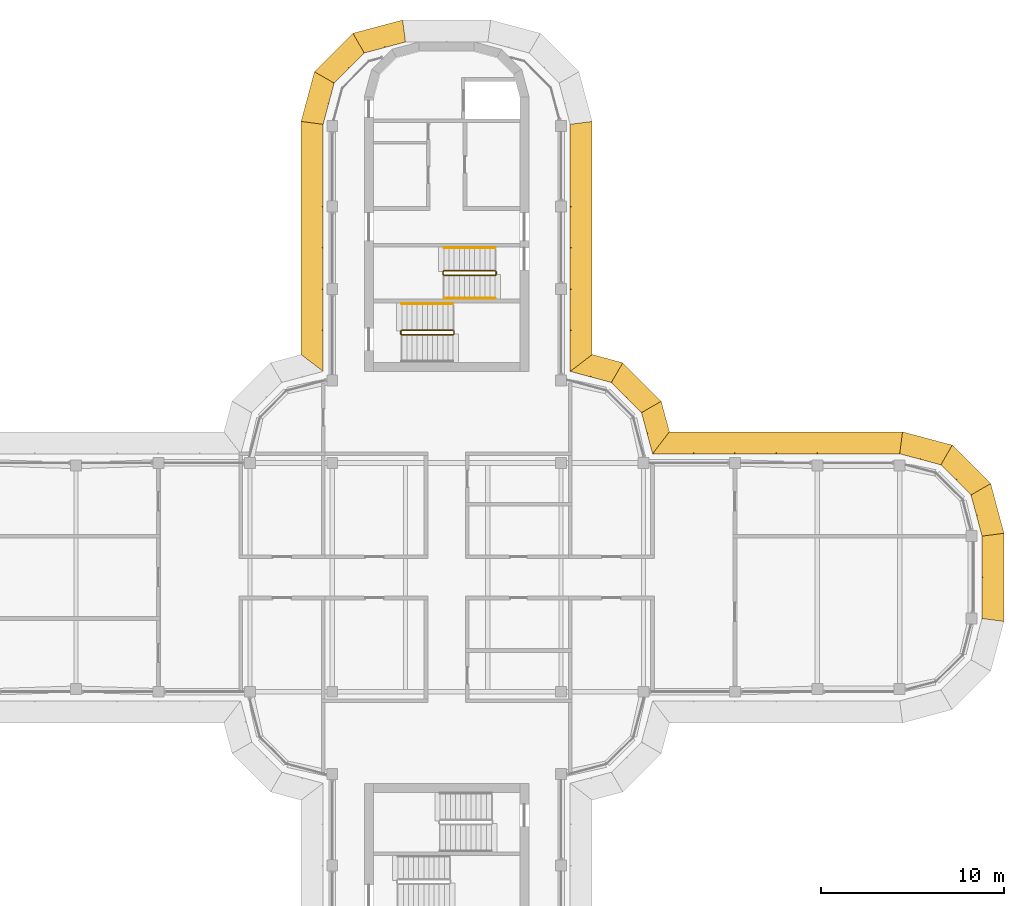
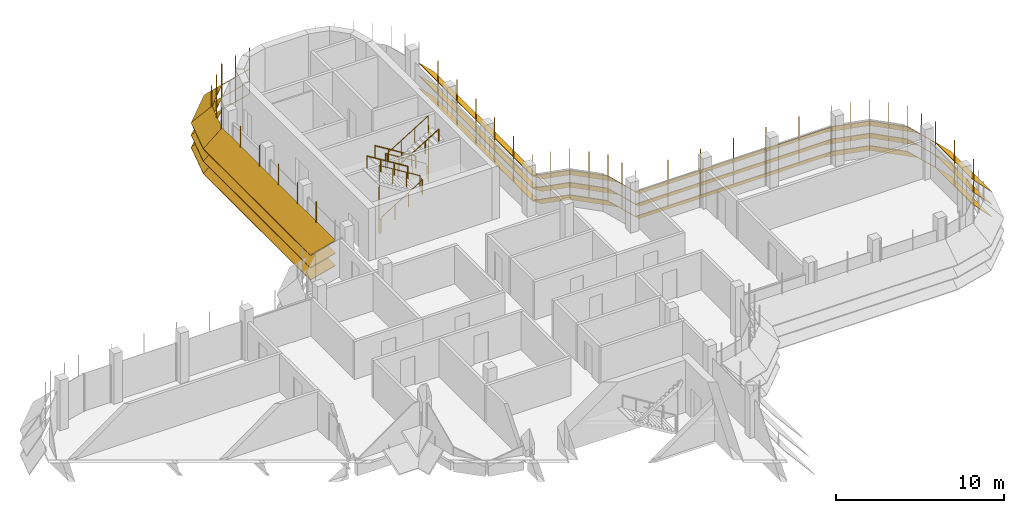
# One storey, part 18 of 19: 7 shading devices, 5 railings.
"""IFC4 building model written with IfcOpenShell, lengths in metres."""

import ifcopenshell
import ifcopenshell.guid

model = None  # the IFC model being written
_history = None  # IfcOwnerHistory: only IFC2X3 demands one
_inside = {}  # id of a spatial element -> (the spatial element, [elements in it])
_under = {}  # id of a project, library or spatial element -> (it, [spatial elements below it])
_declared = {}  # id of a project -> (the project, [libraries it declares])
_typed = {}  # id of a type object -> (the type object, [elements of that type])
_made_of = {}  # id of a material, layer set ... -> (it, [elements and type objects made of it])


def new_model(schema):
    """Start an empty IFC model of exactly this schema.

    Asked for "IFC4X3", IfcOpenShell would pick the latest addendum, in which some entities
    have other attributes; the version numbers below select the first issue.
    IFC2X3 requires an IfcOwnerHistory on every rooted entity: one is made here for all.
    """
    global model, _history
    if schema == "IFC4X3":
        model = ifcopenshell.file(schema_version=(4, 3, 0, 0))
    else:
        model = ifcopenshell.file(schema=schema)
    _inside.clear()
    _under.clear()
    _declared.clear()
    _typed.clear()
    _made_of.clear()
    _history = None
    if model.schema == "IFC2X3":
        org = make("IfcOrganization", Name="unknown")
        user = make(
            "IfcPersonAndOrganization",
            ThePerson=make("IfcPerson", FamilyName="unknown"),
            TheOrganization=org,
        )
        app = make(
            "IfcApplication",
            ApplicationDeveloper=org,
            Version="unknown",
            ApplicationFullName="unknown",
            ApplicationIdentifier="unknown",
        )
        _history = make(
            "IfcOwnerHistory",
            OwningUser=user,
            OwningApplication=app,
            ChangeAction="ADDED",
            CreationDate=0,
        )
    return model


def make(cls, **values):
    """One entity of the class cls with the attributes given. An attribute that is None is left unset."""
    return model.create_entity(
        cls, **{name: value for name, value in values.items() if value is not None}
    )


def rooted(cls, **values):
    """An entity with a GlobalId (a new one), such as an element, a storey or a relation."""
    return make(cls, GlobalId=ifcopenshell.guid.new(), OwnerHistory=_history, **values)


def si_unit(unit_type, name, prefix=None):
    """IfcSIUnit, for example si_unit("LENGTHUNIT", "METRE", prefix="MILLI")."""
    return make("IfcSIUnit", UnitType=unit_type, Prefix=prefix, Name=name)


def assignment(units):
    """IfcUnitAssignment: the units of a project."""
    return None if units is None else make("IfcUnitAssignment", Units=units)


def point(xyz):
    """IfcCartesianPoint."""
    return None if xyz is None else make("IfcCartesianPoint", Coordinates=xyz)


def direction(xyz):
    """IfcDirection."""
    return None if xyz is None else make("IfcDirection", DirectionRatios=xyz)


def frame(location, z_axis=None, x_axis=None):
    """IfcAxis2Placement3D, a coordinate frame: its origin and axes. An axis left out is left unset."""
    return make(
        "IfcAxis2Placement3D",
        Location=point(location),
        Axis=direction(z_axis),
        RefDirection=direction(x_axis),
    )


def frame_2d(location, x_axis=None):
    """IfcAxis2Placement2D, a coordinate frame in the plane: its origin and x axis."""
    return make(
        "IfcAxis2Placement2D", Location=point(location), RefDirection=direction(x_axis)
    )


def origin():
    """The frame at (0, 0, 0) with its axes left unset."""
    return frame((0.0, 0.0, 0.0))


def origin_2d():
    """The frame at (0, 0) in the plane with its x axis left unset."""
    return frame_2d((0.0, 0.0))


def place(relative_to, where):
    """IfcLocalPlacement: puts the frame where relative to a parent placement (None: the world)."""
    return make(
        "IfcLocalPlacement", PlacementRelTo=relative_to, RelativePlacement=where
    )


def context(
    kind, dimensions, precision=None, world=None, true_north=None, identifier=None
):
    """IfcGeometricRepresentationContext, for example the 3D "Model" context."""
    return make(
        "IfcGeometricRepresentationContext",
        ContextIdentifier=identifier,
        ContextType=kind,
        CoordinateSpaceDimension=dimensions,
        Precision=precision,
        WorldCoordinateSystem=world,
        TrueNorth=true_north,
    )


def subcontext(parent, identifier, kind, view, scale=None):
    """IfcGeometricRepresentationSubContext, for example "Body" below "Model"."""
    return make(
        "IfcGeometricRepresentationSubContext",
        ContextIdentifier=identifier,
        ContextType=kind,
        ParentContext=parent,
        TargetScale=scale,
        TargetView=view,
    )


def project(units=None, contexts=None):
    """IfcProject with its units and contexts."""
    return rooted(
        "IfcProject",
        Name="project",
        RepresentationContexts=contexts,
        UnitsInContext=assignment(units),
    )


def spatial(cls, under=None, at=None, **own):
    """A site, building, storey or space (cls), placed at a placement, below another one or the project."""
    s = rooted(cls, ObjectPlacement=at, **own)
    if under is not None:
        _under.setdefault(under.id(), (under, []))[1].append(s)
    return s


def polyline(points):
    """IfcPolyline through the points."""
    return make("IfcPolyline", Points=[point(p) for p in points])


def profile(cls, at=None, kind="AREA", **sizes):
    """A parametric profile (cls). Its sizes go by their IFC names, for example OverallWidth=200.0."""
    return make(cls, ProfileType=kind, Position=at, **sizes)


def circle(**sizes):
    """IfcCircleProfileDef."""
    return profile("IfcCircleProfileDef", **sizes)


def outline(outer, holes=None, kind="AREA"):
    """IfcArbitraryClosedProfileDef: a profile drawn as a closed curve; with holes, ...WithVoids."""
    if holes is None:
        return make("IfcArbitraryClosedProfileDef", ProfileType=kind, OuterCurve=outer)
    return make(
        "IfcArbitraryProfileDefWithVoids",
        ProfileType=kind,
        OuterCurve=outer,
        InnerCurves=holes,
    )


def extrude(swept, where, along, depth):
    """IfcExtrudedAreaSolid: the profile swept, set in the frame where, extruded along a direction by depth."""
    return make(
        "IfcExtrudedAreaSolid",
        SweptArea=swept,
        Position=where,
        ExtrudedDirection=direction(along),
        Depth=depth,
    )


def faces_of(points, faces, orient=None, outer=None):
    """IfcFace entities. A face is a list of loops; a loop is a list of indices into points, from 0.

    orient and outer hold one flag for each loop. By default every Orientation is true, the
    first loop of a face is its IfcFaceOuterBound and the others are IfcFaceBound.
    """
    made = []
    for i, loops in enumerate(faces):
        bounds = []
        for j, loop in enumerate(loops):
            is_outer = j == 0 if outer is None else outer[i][j]
            bounds.append(
                make(
                    "IfcFaceOuterBound" if is_outer else "IfcFaceBound",
                    Bound=make("IfcPolyLoop", Polygon=[points[k] for k in loop]),
                    Orientation=True if orient is None else orient[i][j],
                )
            )
        made.append(make("IfcFace", Bounds=bounds))
    return made


def faceted_brep(points, faces, orient=None, outer=None, voids=None):
    """IfcFacetedBrep: a solid bounded by flat faces; with voids (closed shells), ...WithVoids."""
    shared = [point(p) for p in points]
    hull = make("IfcClosedShell", CfsFaces=faces_of(shared, faces, orient, outer))
    if voids is None:
        return make("IfcFacetedBrep", Outer=hull)
    return make(
        "IfcFacetedBrepWithVoids",
        Outer=hull,
        Voids=[
            make(cls, CfsFaces=faces_of(shared, fs, o, b)) for cls, fs, o, b in voids
        ],
    )


def shape(context_of_items, identifier, shape_type, items):
    """IfcShapeRepresentation: the items that make up one representation, for example the "Body"."""
    return make(
        "IfcShapeRepresentation",
        ContextOfItems=context_of_items,
        RepresentationIdentifier=identifier,
        RepresentationType=shape_type,
        Items=items,
    )


def source(mapping_origin, context_of_items, identifier, shape_type, items):
    """IfcRepresentationMap: a shape defined once, which mapped items show again and again."""
    return make(
        "IfcRepresentationMap",
        MappingOrigin=mapping_origin,
        MappedRepresentation=shape(context_of_items, identifier, shape_type, items),
    )


def transform(
    local_origin,
    x_axis=None,
    y_axis=None,
    z_axis=None,
    scale=None,
    scale2=None,
    scale3=None,
    uniform=True,
):
    """IfcCartesianTransformationOperator3D, or its non-uniform kind. x_axis, y_axis, z_axis: its Axis1, 2, 3."""
    if uniform:
        return make(
            "IfcCartesianTransformationOperator3D",
            Axis1=direction(x_axis),
            Axis2=direction(y_axis),
            LocalOrigin=point(local_origin),
            Scale=scale,
            Axis3=direction(z_axis),
        )
    return make(
        "IfcCartesianTransformationOperator3DnonUniform",
        Axis1=direction(x_axis),
        Axis2=direction(y_axis),
        LocalOrigin=point(local_origin),
        Scale=scale,
        Axis3=direction(z_axis),
        Scale2=scale2,
        Scale3=scale3,
    )


def mapped(mapping_source, mapping_target):
    """IfcMappedItem: shows the shape of a source again, moved by a transform."""
    return make(
        "IfcMappedItem", MappingSource=mapping_source, MappingTarget=mapping_target
    )


def material(Name=None, Category=None):
    """IfcMaterial."""
    return make("IfcMaterial", Name=Name, Category=Category)


def made_of(thing, what):
    """Note that an element or type object is made of a material, layer set ...; save() writes the relation."""
    if what is not None:
        _made_of.setdefault(what.id(), (what, []))[1].append(thing)
    return thing


def type_object(cls, material=None, **own):
    """A type object (cls), such as IfcWallType, which elements share."""
    return made_of(rooted(cls, **own), material)


def element(
    cls,
    number,
    at=None,
    inside=None,
    cuts=None,
    type_object=None,
    material=None,
    context=None,
    identifier="Body",
    shape_type=None,
    held_by="IfcProductDefinitionShape",
    body=None,
    shapes=None,
    **own,
):
    """One element of the class cls, such as IfcWall. Its Tag is "e" and its number.

    at: its placement. inside: the storey or other place that contains it. cuts: it is an
    opening in that element (IfcRelVoidsElement). A single representation is given by context,
    identifier, shape_type and body (its items); several are given by shapes. held_by: the class
    of the entity that holds the representations. save() writes the other relations.
    """
    e = rooted(cls, Tag="e%d" % number, ObjectPlacement=at, **own)
    if body is not None:
        shapes = [shape(context, identifier, shape_type, body)]
    if shapes is not None:
        e.Representation = make(held_by, Representations=shapes)
    if inside is not None:
        _inside.setdefault(inside.id(), (inside, []))[1].append(e)
    if cuts is not None:
        rooted(
            "IfcRelVoidsElement", RelatingBuildingElement=cuts, RelatedOpeningElement=e
        )
    if type_object is not None:
        _typed.setdefault(type_object.id(), (type_object, []))[1].append(e)
    return made_of(e, material)


def aggregate(whole, parts):
    """IfcRelAggregates: a whole, such as a stair, and the parts it consists of."""
    return rooted("IfcRelAggregates", RelatingObject=whole, RelatedObjects=parts)


def save(model, path):
    """Write the relations noted so far, then the file.

    IfcRelAggregates (storeys below a building ...), IfcRelContainedInSpatialStructure (elements
    in a storey), IfcRelDefinesByType, IfcRelAssociatesMaterial and IfcRelDeclares: one each for
    every whole, place, type object, material and project.
    """
    for whole, parts in _under.values():
        aggregate(whole, parts)
    for where, things in _inside.values():
        rooted(
            "IfcRelContainedInSpatialStructure",
            RelatedElements=things,
            RelatingStructure=where,
        )
    for kind, things in _typed.values():
        rooted("IfcRelDefinesByType", RelatedObjects=things, RelatingType=kind)
    for what, things in _made_of.values():
        rooted("IfcRelAssociatesMaterial", RelatedObjects=things, RelatingMaterial=what)
    for by, libraries in _declared.values():
        rooted("IfcRelDeclares", RelatingContext=by, RelatedDefinitions=libraries)
    model.write(path)


model = new_model("IFC4")

# Units and contexts
model_context = context("Model", 3, precision=1e-05, world=origin(), true_north=direction((0.0, 1.0)))
body_context = subcontext(model_context, "Body", "Model", "MODEL_VIEW")
ifc_project = project(units=[si_unit("LENGTHUNIT", "METRE"), si_unit("AREAUNIT", "SQUARE_METRE"), si_unit("VOLUMEUNIT", "CUBIC_METRE"), si_unit("PLANEANGLEUNIT", "RADIAN"), si_unit("MASSUNIT", "GRAM", prefix="KILO")], contexts=[model_context])

# Site, building, storey
site_placement = place(None, origin())
site = spatial("IfcSite", under=ifc_project, at=site_placement, CompositionType="ELEMENT")
building_placement = place(site_placement, origin())
building = spatial("IfcBuilding", under=site, at=building_placement, Name="Zarbagh Exchange Tower", CompositionType="ELEMENT")
storey_placement = place(building_placement, frame((0.0, 0.0, 272.60009765625)))
storey = spatial("IfcBuildingStorey", under=building, at=storey_placement, Name="L67", CompositionType="ELEMENT", Elevation=272.60009765625)

# Railings
ifc_material_1 = material(Name="Stainless steel", Category="steel")
railing_type_1 = type_object("IfcRailingType", Name="Stair guard 1100 mm", PredefinedType="GUARDRAIL", material=ifc_material_1)
railing_1_placement = place(storey_placement, frame((2.64990234375, 16.75, 0.172607421875)))
element("IfcRailing", 1, at=railing_1_placement, inside=storey, type_object=railing_type_1, Name="ST1 stair guard 1", PredefinedType="GUARDRAIL", context=body_context, shape_type="SweptSolid", body=[
    extrude(circle(Radius=0.02392578125, at=origin_2d()), frame((0.0, 0.0, 1.076171875), z_axis=(-0.851069175582, 0.0, 0.525053576669), x_axis=(0.0, -1.0, 0.0)), (0.0, 0.0, 1.0), 3.289794921875),
    extrude(circle(Radius=0.02392578125, at=origin_2d()), frame((-2.7998046875, 0.0, 2.80322265625), z_axis=(-0.707106781187, -0.707106781187, 0.0), x_axis=(0.707106781187, -0.707106781187, 0.0)), (0.0, 0.0, 1.0), 0.07080078125),
    extrude(circle(Radius=0.02392578125, at=origin_2d()), frame((-2.849853515625, -0.050048828125, 2.80322265625), z_axis=(0.0, -1.0, 0.0), x_axis=(1.0, 0.0, 0.0)), (0.0, 0.0, 1.0), 0.14990234375),
    extrude(circle(Radius=0.02392578125, at=origin_2d()), frame((-2.849853515625, -0.199951171875, 2.80322265625), z_axis=(0.268277960024, -0.268277960024, 0.925231793839), x_axis=(0.707106781187, 0.707106781187, 0.0)), (0.0, 0.0, 1.0), 0.1865234375),
    extrude(circle(Radius=0.02392578125, at=origin_2d()), frame((-2.7998046875, -0.25, 2.97607421875), z_axis=(0.851069175582, 0.0, 0.525053576669), x_axis=(0.0, 1.0, 0.0)), (0.0, 0.0, 1.0), 3.289794921875),
    extrude(circle(Radius=0.02392578125, at=origin_2d()), frame((0.0, -0.25, 4.703125), z_axis=(0.013169136761, 0.013169136761, -0.999826558796), x_axis=(-0.707106781187, 0.707106781187, 0.0)), (0.0, 0.0, 1.0), 3.800537109375),
    extrude(circle(Radius=0.02392578125, at=origin_2d()), frame((0.050048828125, -0.199951171875, 0.9033203125), z_axis=(0.0, 1.0, 0.0), x_axis=(-1.0, 0.0, 0.0)), (0.0, 0.0, 1.0), 0.14990234375),
    extrude(circle(Radius=0.02099609375, at=origin_2d()), origin(), (0.0, 0.0, 1.0), 1.052001953125),
    extrude(circle(Radius=0.02099609375, at=origin_2d()), frame((-0.933349609375, 0.0, 0.57568359375)), (0.0, 0.0, 1.0), 1.052001953125),
    extrude(circle(Radius=0.02099609375, at=origin_2d()), frame((-1.866455078125, 0.0, 1.151611328125)), (0.0, 0.0, 1.0), 1.052001953125),
    extrude(circle(Radius=0.02099609375, at=origin_2d()), frame((-2.7998046875, 0.0, 1.727294921875)), (0.0, 0.0, 1.0), 1.052001953125),
    extrude(circle(Radius=0.02099609375, at=origin_2d()), frame((-2.849853515625, -0.050048828125, 1.727294921875)), (0.0, 0.0, 1.0), 1.052001953125),
    extrude(circle(Radius=0.02099609375, at=origin_2d()), frame((-2.849853515625, -0.199951171875, 1.727294921875)), (0.0, 0.0, 1.0), 1.052001953125),
    extrude(circle(Radius=0.02099609375, at=origin_2d()), frame((-2.7998046875, -0.25, 1.89990234375)), (0.0, 0.0, 1.0), 1.052001953125),
    extrude(circle(Radius=0.02099609375, at=origin_2d()), frame((-1.866455078125, -0.25, 2.4755859375)), (0.0, 0.0, 1.0), 1.052001953125),
    extrude(circle(Radius=0.02099609375, at=origin_2d()), frame((-0.933349609375, -0.25, 3.051513671875)), (0.0, 0.0, 1.0), 1.052001953125),
    extrude(circle(Radius=0.02099609375, at=origin_2d()), frame((0.0, -0.25, 3.627197265625)), (0.0, 0.0, 1.0), 1.052001953125),
    extrude(circle(Radius=0.02099609375, at=origin_2d()), frame((0.012451171875, -0.237548828125, 2.67724609375)), (0.0, 0.0, 1.0), 1.052001953125),
    extrude(circle(Radius=0.02099609375, at=origin_2d()), frame((0.02490234375, -0.22509765625, 1.727294921875)), (0.0, 0.0, 1.0), 1.052001953125),
    extrude(circle(Radius=0.02099609375, at=origin_2d()), frame((0.03759765625, -0.21240234375, 0.77734375)), (0.0, 0.0, 1.0), 1.052001953125),
    extrude(circle(Radius=0.02099609375, at=origin_2d()), frame((0.050048828125, -0.199951171875, -0.172607421875)), (0.0, 0.0, 1.0), 1.052001953125),
    extrude(circle(Radius=0.02099609375, at=origin_2d()), frame((0.050048828125, -0.050048828125, -0.172607421875)), (0.0, 0.0, 1.0), 1.052001953125),
])
railing_2_placement = place(storey_placement, frame((0.35009765625, 13.5, 2.072509765625)))
element("IfcRailing", 2, at=railing_2_placement, inside=storey, type_object=railing_type_1, Name="ST2 stair guard 1", PredefinedType="GUARDRAIL", context=body_context, shape_type="SweptSolid", body=[
    extrude(circle(Radius=0.02392578125, at=origin_2d()), frame((0.0, 0.0, 1.076171875), z_axis=(-0.851089632645, 0.0, 0.525020415988), x_axis=(0.0, -1.0, 0.0)), (0.0, 0.0, 1.0), 3.2900390625),
    extrude(circle(Radius=0.02392578125, at=origin_2d()), frame((-2.800048828125, 0.0, 2.80322265625), z_axis=(-0.013169136761, -0.013169136761, -0.999826558796), x_axis=(0.707106781187, -0.707106781187, 0.0)), (0.0, 0.0, 1.0), 3.800537109375),
    extrude(circle(Radius=0.02392578125, at=origin_2d()), frame((-2.85009765625, -0.050048828125, -0.99658203125), z_axis=(0.0, -1.0, 0.0), x_axis=(1.0, 0.0, 0.0)), (0.0, 0.0, 1.0), 0.14990234375),
    extrude(circle(Radius=0.02392578125, at=origin_2d()), frame((-2.85009765625, -0.199951171875, -0.99658203125), z_axis=(0.268277960024, -0.268277960024, 0.925231793839), x_axis=(0.707106781187, 0.707106781187, 0.0)), (0.0, 0.0, 1.0), 0.1865234375),
    extrude(circle(Radius=0.02392578125, at=origin_2d()), frame((-2.800048828125, -0.25, -0.82373046875), z_axis=(0.851089632645, 0.0, 0.525020415988), x_axis=(0.0, 1.0, 0.0)), (0.0, 0.0, 1.0), 3.2900390625),
    extrude(circle(Radius=0.02392578125, at=origin_2d()), frame((0.0, -0.25, 0.9033203125), z_axis=(0.705375805398, 0.708833529934, 0.0), x_axis=(-0.708833529934, 0.705375805398, 0.0)), (0.0, 0.0, 1.0), 0.070556640625),
    extrude(circle(Radius=0.02392578125, at=origin_2d()), frame((0.0498046875, -0.199951171875, 0.9033203125), z_axis=(0.0, 1.0, 0.0), x_axis=(-1.0, 0.0, 0.0)), (0.0, 0.0, 1.0), 0.14990234375),
    extrude(circle(Radius=0.02099609375, at=origin_2d()), origin(), (0.0, 0.0, 1.0), 1.052001953125),
    extrude(circle(Radius=0.02099609375, at=origin_2d()), frame((-0.933349609375, 0.0, 0.57568359375)), (0.0, 0.0, 1.0), 1.052001953125),
    extrude(circle(Radius=0.02099609375, at=origin_2d()), frame((-1.86669921875, 0.0, 1.151611328125)), (0.0, 0.0, 1.0), 1.052001953125),
    extrude(circle(Radius=0.02099609375, at=origin_2d()), frame((-2.800048828125, 0.0, 1.727294921875)), (0.0, 0.0, 1.0), 1.052001953125),
    extrude(circle(Radius=0.02099609375, at=origin_2d()), frame((-2.8125, -0.012451171875, 0.77734375)), (0.0, 0.0, 1.0), 1.052001953125),
    extrude(circle(Radius=0.02099609375, at=origin_2d()), frame((-2.8251953125, -0.02490234375, -0.172607421875)), (0.0, 0.0, 1.0), 1.052001953125),
    extrude(circle(Radius=0.02099609375, at=origin_2d()), frame((-2.837646484375, -0.03759765625, -1.12255859375)), (0.0, 0.0, 1.0), 1.052001953125),
    extrude(circle(Radius=0.02099609375, at=origin_2d()), frame((-2.85009765625, -0.050048828125, -2.072509765625)), (0.0, 0.0, 1.0), 1.052001953125),
    extrude(circle(Radius=0.02099609375, at=origin_2d()), frame((-2.85009765625, -0.199951171875, -2.072509765625)), (0.0, 0.0, 1.0), 1.052001953125),
    extrude(circle(Radius=0.02099609375, at=origin_2d()), frame((-2.800048828125, -0.25, -1.89990234375)), (0.0, 0.0, 1.0), 1.052001953125),
    extrude(circle(Radius=0.02099609375, at=origin_2d()), frame((-1.86669921875, -0.25, -1.32421875)), (0.0, 0.0, 1.0), 1.052001953125),
    extrude(circle(Radius=0.02099609375, at=origin_2d()), frame((-0.933349609375, -0.25, -0.748291015625)), (0.0, 0.0, 1.0), 1.052001953125),
    extrude(circle(Radius=0.02099609375, at=origin_2d()), frame((0.0, -0.25, -0.172607421875)), (0.0, 0.0, 1.0), 1.052001953125),
    extrude(circle(Radius=0.02099609375, at=origin_2d()), frame((0.0498046875, -0.199951171875, -0.172607421875)), (0.0, 0.0, 1.0), 1.052001953125),
    extrude(circle(Radius=0.02099609375, at=origin_2d()), frame((0.0498046875, -0.050048828125, -0.172607421875)), (0.0, 0.0, 1.0), 1.052001953125),
])
railing_type_2 = type_object("IfcRailingType", Name="Stair handrail 900 mm", PredefinedType="HANDRAIL", material=ifc_material_1)
railing_3_placement = place(storey_placement, frame((2.64990234375, 18.0, 0.172607421875)))
element("IfcRailing", 3, at=railing_3_placement, inside=storey, type_object=railing_type_2, Name="ST1 stair handrail 1", PredefinedType="HANDRAIL", context=body_context, shape_type="SweptSolid", body=[
    extrude(circle(Radius=0.02392578125, at=origin_2d()), frame((0.0, 0.0, 0.8759765625), z_axis=(-0.851069175582, 0.0, 0.525053576669), x_axis=(0.0, -1.0, 0.0)), (0.0, 0.0, 1.0), 3.289794921875),
    extrude(circle(Radius=0.02099609375, at=origin_2d()), origin(), (0.0, 0.0, 1.0), 0.851806640625),
    extrude(circle(Radius=0.02099609375, at=origin_2d()), frame((-0.933349609375, 0.0, 0.57568359375)), (0.0, 0.0, 1.0), 0.851806640625),
    extrude(circle(Radius=0.02099609375, at=origin_2d()), frame((-1.866455078125, 0.0, 1.151611328125)), (0.0, 0.0, 1.0), 0.851806640625),
    extrude(circle(Radius=0.02099609375, at=origin_2d()), frame((-2.7998046875, 0.0, 1.727294921875)), (0.0, 0.0, 1.0), 0.851806640625),
])
railing_4_placement = place(storey_placement, frame((-0.14990234375, 15.25, 2.072509765625)))
element("IfcRailing", 4, at=railing_4_placement, inside=storey, type_object=railing_type_2, Name="ST1 stair handrail 2", PredefinedType="HANDRAIL", context=body_context, shape_type="SweptSolid", body=[
    extrude(circle(Radius=0.02392578125, at=origin_2d()), frame((0.0, 0.0, 0.8759765625), z_axis=(0.851069175582, 0.0, 0.525053576669), x_axis=(0.0, 1.0, 0.0)), (0.0, 0.0, 1.0), 3.289794921875),
    extrude(circle(Radius=0.02099609375, at=origin_2d()), origin(), (0.0, 0.0, 1.0), 0.851806640625),
    extrude(circle(Radius=0.02099609375, at=origin_2d()), frame((0.933349609375, 0.0, 0.57568359375)), (0.0, 0.0, 1.0), 0.851806640625),
    extrude(circle(Radius=0.02099609375, at=origin_2d()), frame((1.866455078125, 0.0, 1.151611328125)), (0.0, 0.0, 1.0), 0.851806640625),
    extrude(circle(Radius=0.02099609375, at=origin_2d()), frame((2.7998046875, 0.0, 1.727294921875)), (0.0, 0.0, 1.0), 0.851806640625),
])
railing_5_placement = place(storey_placement, frame((0.35009765625, 14.949951171875, 2.072509765625)))
element("IfcRailing", 5, at=railing_5_placement, inside=storey, type_object=railing_type_2, Name="ST2 stair handrail 2", PredefinedType="HANDRAIL", context=body_context, shape_type="SweptSolid", body=[
    extrude(circle(Radius=0.02392578125, at=origin_2d()), frame((0.0, 0.0, 0.8759765625), z_axis=(-0.851089632645, 0.0, 0.525020415988), x_axis=(0.0, -1.0, 0.0)), (0.0, 0.0, 1.0), 3.2900390625),
    extrude(circle(Radius=0.02099609375, at=origin_2d()), origin(), (0.0, 0.0, 1.0), 0.851806640625),
    extrude(circle(Radius=0.02099609375, at=origin_2d()), frame((-0.933349609375, 0.0, 0.57568359375)), (0.0, 0.0, 1.0), 0.851806640625),
    extrude(circle(Radius=0.02099609375, at=origin_2d()), frame((-1.86669921875, 0.0, 1.151611328125)), (0.0, 0.0, 1.0), 0.851806640625),
    extrude(circle(Radius=0.02099609375, at=origin_2d()), frame((-2.800048828125, 0.0, 1.727294921875)), (0.0, 0.0, 1.0), 0.851806640625),
])

# Shading devices
ifc_material_2 = material(Name="Anodised aluminium blades and brackets", Category="aluminium")
shading_device_type = type_object("IfcShadingDeviceType", Name="SUNSHADE louvre band, 45 degree blades", PredefinedType="JALOUSIE", material=ifc_material_2)
shared_shape_1 = source(origin(), body_context, "Body", "Brep", [
    faceted_brep([(0.0, 0.0, 0.0), (0.0, 0.0, -0.056640625), (-0.157958984375, -1.199951171875, -1.256591796875), (-0.157958984375, -1.199951171875, -1.199951171875), (2.65087890625, -1.199951171875, -1.199951171875), (2.65087890625, -1.199951171875, -1.256591796875), (2.329345703125, 0.0, -0.056640625), (2.329345703125, 0.0, 0.0)], [[[0, 1, 2, 3]], [[4, 5, 6, 7]], [[0, 7, 6, 1]], [[1, 6, 5, 2]], [[2, 5, 4, 3]], [[3, 4, 7, 0]]]),
])
shared_shape_2 = source(origin(), body_context, "Body", "Brep", [
    faceted_brep([(0.0, 0.0, 0.0), (0.0, 0.0, -0.056640625), (-0.321533203125, -1.199951171875, -1.256591796875), (-0.321533203125, -1.199951171875, -1.199951171875), (2.65087890625, -1.199951171875, -1.199951171875), (2.65087890625, -1.199951171875, -1.256591796875), (2.329345703125, 0.0, -0.056640625), (2.329345703125, 0.0, 0.0)], [[[0, 1, 2, 3]], [[4, 5, 6, 7]], [[0, 7, 6, 1]], [[1, 6, 5, 2]], [[2, 5, 4, 3]], [[3, 4, 7, 0]]]),
])
shared_shape_3 = source(origin(), body_context, "Body", "Brep", [
    faceted_brep([(0.0, 0.0, 0.0), (0.0, 0.0, -0.056640625), (-0.321533203125, -1.199951171875, -1.256591796875), (-0.321533203125, -1.199951171875, -1.199951171875), (2.4873046875, -1.199951171875, -1.199951171875), (2.4873046875, -1.199951171875, -1.256591796875), (2.329345703125, 0.0, -0.056640625), (2.329345703125, 0.0, 0.0)], [[[0, 1, 2, 3]], [[4, 5, 6, 7]], [[0, 7, 6, 1]], [[1, 6, 5, 2]], [[2, 5, 4, 3]], [[3, 4, 7, 0]]]),
])
shared_shape_4 = source(origin(), body_context, "Body", "SweptSolid", [
    extrude(outline(polyline([(0.0, -0.012451171875), (0.06005859375, -0.012451171875), (0.06005859375, 0.012451171875), (0.0, 0.012451171875), (0.0, -0.012451171875)])), origin(), (0.0, 0.0, 1.0), 3.366455078125),
])
placement = place(storey_placement, origin())
element("IfcShadingDevice", 6, at=placement, inside=storey, type_object=shading_device_type, Name="SS53 sunshade band", PredefinedType="JALOUSIE", context=body_context, shape_type="MappedRepresentation", body=[
    mapped(shared_shape_1, transform((29.25, 2.25, 2.2998046875), x_axis=(-0.258824779902, 0.965924289636, 0.0), y_axis=(-0.965924289636, -0.258824779902, 0.0), z_axis=(0.0, 0.0, 1.0))),
    mapped(shared_shape_1, transform((29.25, 2.25, 1.39990234375), x_axis=(-0.258824779902, 0.965924289636, 0.0), y_axis=(-0.965924289636, -0.258824779902, 0.0), z_axis=(0.0, 0.0, 1.0))),
    mapped(shared_shape_1, transform((29.25, 2.25, 0.5), x_axis=(-0.258824779902, 0.965924289636, 0.0), y_axis=(-0.965924289636, -0.258824779902, 0.0), z_axis=(0.0, 0.0, 1.0))),
    mapped(shared_shape_2, transform((28.647216796875, 4.5, 2.2998046875), x_axis=(-0.707106781187, 0.707106781187, 0.0), y_axis=(-0.707106781187, -0.707106781187, 0.0), z_axis=(0.0, 0.0, 1.0))),
    mapped(shared_shape_2, transform((28.647216796875, 4.5, 1.39990234375), x_axis=(-0.707106781187, 0.707106781187, 0.0), y_axis=(-0.707106781187, -0.707106781187, 0.0), z_axis=(0.0, 0.0, 1.0))),
    mapped(shared_shape_2, transform((28.647216796875, 4.5, 0.5), x_axis=(-0.707106781187, 0.707106781187, 0.0), y_axis=(-0.707106781187, -0.707106781187, 0.0), z_axis=(0.0, 0.0, 1.0))),
    mapped(shared_shape_3, transform((27.0, 6.147216796875, 2.2998046875), x_axis=(-0.965924289636, 0.258824779902, 0.0), y_axis=(-0.258824779902, -0.965924289636, 0.0), z_axis=(0.0, 0.0, 1.0))),
    mapped(shared_shape_3, transform((27.0, 6.147216796875, 1.39990234375), x_axis=(-0.965924289636, 0.258824779902, 0.0), y_axis=(-0.258824779902, -0.965924289636, 0.0), z_axis=(0.0, 0.0, 1.0))),
    mapped(shared_shape_3, transform((27.0, 6.147216796875, 0.5), x_axis=(-0.965924289636, 0.258824779902, 0.0), y_axis=(-0.258824779902, -0.965924289636, 0.0), z_axis=(0.0, 0.0, 1.0))),
    mapped(shared_shape_4, transform((29.25, 2.25, 0.413330078125), x_axis=(0.991444457092, 0.130529263012, 0.0), y_axis=(-0.130529263012, 0.991444457092, 0.0), z_axis=(0.0, 0.0, 1.0))),
    mapped(shared_shape_4, transform((28.948486328125, 3.375, 0.413330078125), x_axis=(0.96592421511, 0.258825058029, 0.0), y_axis=(-0.258825058029, 0.96592421511, 0.0), z_axis=(0.0, 0.0, 1.0))),
    mapped(shared_shape_4, transform((28.647216796875, 4.5, 0.413330078125), x_axis=(0.866023812018, 0.50000275701, 0.0), y_axis=(-0.50000275701, 0.866023812018, 0.0), z_axis=(0.0, 0.0, 1.0))),
    mapped(shared_shape_4, transform((27.823486328125, 5.323486328125, 0.413330078125), x_axis=(0.707106781187, 0.707106781187, 0.0), y_axis=(-0.707106781187, 0.707106781187, 0.0), z_axis=(0.0, 0.0, 1.0))),
    mapped(shared_shape_4, transform((27.0, 6.147216796875, 0.413330078125), x_axis=(0.50000275701, 0.866023812018, 0.0), y_axis=(-0.866023812018, 0.50000275701, 0.0), z_axis=(0.0, 0.0, 1.0))),
    mapped(shared_shape_4, transform((25.875, 6.448486328125, 0.413330078125), x_axis=(0.258825058029, 0.96592421511, 0.0), y_axis=(-0.96592421511, 0.258825058029, 0.0), z_axis=(0.0, 0.0, 1.0))),
])
element("IfcShadingDevice", 7, at=placement, inside=storey, type_object=shading_device_type, Name="SS48 sunshade band", PredefinedType="JALOUSIE", context=body_context, shape_type="MappedRepresentation", body=[
    mapped(shared_shape_1, transform((-2.25, 29.25, 2.2998046875), x_axis=(-0.965924289636, -0.258824779902, 0.0), y_axis=(0.258824779902, -0.965924289636, 0.0), z_axis=(0.0, 0.0, 1.0))),
    mapped(shared_shape_1, transform((-2.25, 29.25, 1.39990234375), x_axis=(-0.965924289636, -0.258824779902, 0.0), y_axis=(0.258824779902, -0.965924289636, 0.0), z_axis=(0.0, 0.0, 1.0))),
    mapped(shared_shape_1, transform((-2.25, 29.25, 0.5), x_axis=(-0.965924289636, -0.258824779902, 0.0), y_axis=(0.258824779902, -0.965924289636, 0.0), z_axis=(0.0, 0.0, 1.0))),
    mapped(shared_shape_2, transform((-4.5, 28.647216796875, 2.2998046875), x_axis=(-0.707106781187, -0.707106781187, 0.0), y_axis=(0.707106781187, -0.707106781187, 0.0), z_axis=(0.0, 0.0, 1.0))),
    mapped(shared_shape_2, transform((-4.5, 28.647216796875, 1.39990234375), x_axis=(-0.707106781187, -0.707106781187, 0.0), y_axis=(0.707106781187, -0.707106781187, 0.0), z_axis=(0.0, 0.0, 1.0))),
    mapped(shared_shape_2, transform((-4.5, 28.647216796875, 0.5), x_axis=(-0.707106781187, -0.707106781187, 0.0), y_axis=(0.707106781187, -0.707106781187, 0.0), z_axis=(0.0, 0.0, 1.0))),
    mapped(shared_shape_3, transform((-6.147216796875, 27.0, 2.2998046875), x_axis=(-0.258824779902, -0.965924289636, 0.0), y_axis=(0.965924289636, -0.258824779902, 0.0), z_axis=(0.0, 0.0, 1.0))),
    mapped(shared_shape_3, transform((-6.147216796875, 27.0, 1.39990234375), x_axis=(-0.258824779902, -0.965924289636, 0.0), y_axis=(0.965924289636, -0.258824779902, 0.0), z_axis=(0.0, 0.0, 1.0))),
    mapped(shared_shape_3, transform((-6.147216796875, 27.0, 0.5), x_axis=(-0.258824779902, -0.965924289636, 0.0), y_axis=(0.965924289636, -0.258824779902, 0.0), z_axis=(0.0, 0.0, 1.0))),
    mapped(shared_shape_4, transform((-2.25, 29.25, 0.413330078125), x_axis=(-0.130529263012, 0.991444457092, 0.0), y_axis=(-0.991444457092, -0.130529263012, 0.0), z_axis=(0.0, 0.0, 1.0))),
    mapped(shared_shape_4, transform((-3.375, 28.948486328125, 0.413330078125), x_axis=(-0.258825058029, 0.96592421511, 0.0), y_axis=(-0.96592421511, -0.258825058029, 0.0), z_axis=(0.0, 0.0, 1.0))),
    mapped(shared_shape_4, transform((-4.5, 28.647216796875, 0.413330078125), x_axis=(-0.50000275701, 0.866023812018, 0.0), y_axis=(-0.866023812018, -0.50000275701, 0.0), z_axis=(0.0, 0.0, 1.0))),
    mapped(shared_shape_4, transform((-5.323486328125, 27.823486328125, 0.413330078125), x_axis=(-0.707106781187, 0.707106781187, 0.0), y_axis=(-0.707106781187, -0.707106781187, 0.0), z_axis=(0.0, 0.0, 1.0))),
    mapped(shared_shape_4, transform((-6.147216796875, 27.0, 0.413330078125), x_axis=(-0.866023812018, 0.50000275701, 0.0), y_axis=(-0.50000275701, -0.866023812018, 0.0), z_axis=(0.0, 0.0, 1.0))),
    mapped(shared_shape_4, transform((-6.448486328125, 25.875, 0.413330078125), x_axis=(-0.96592421511, 0.258825058029, 0.0), y_axis=(-0.258825058029, -0.96592421511, 0.0), z_axis=(0.0, 0.0, 1.0))),
])
shared_shape_5 = source(origin(), body_context, "Body", "Brep", [
    faceted_brep([(0.0, 0.0, 0.0), (0.0, 0.0, -0.056640625), (0.9208984375, -1.199951171875, -1.256591796875), (0.9208984375, -1.199951171875, -1.199951171875), (2.65087890625, -1.199951171875, -1.199951171875), (2.65087890625, -1.199951171875, -1.256591796875), (2.329345703125, 0.0, -0.056640625), (2.329345703125, 0.0, 0.0)], [[[0, 1, 2, 3]], [[4, 5, 6, 7]], [[0, 7, 6, 1]], [[1, 6, 5, 2]], [[2, 5, 4, 3]], [[3, 4, 7, 0]]]),
])
shared_shape_6 = source(origin(), body_context, "Body", "Brep", [
    faceted_brep([(0.0, 0.0, 0.0), (0.0, 0.0, -0.056640625), (-0.321533203125, -1.199951171875, -1.256591796875), (-0.321533203125, -1.199951171875, -1.199951171875), (1.40869140625, -1.199951171875, -1.199951171875), (1.40869140625, -1.199951171875, -1.256591796875), (2.329345703125, 0.0, -0.056640625), (2.329345703125, 0.0, 0.0)], [[[0, 1, 2, 3]], [[4, 5, 6, 7]], [[0, 7, 6, 1]], [[1, 6, 5, 2]], [[2, 5, 4, 3]], [[3, 4, 7, 0]]]),
])
element("IfcShadingDevice", 8, at=placement, inside=storey, type_object=shading_device_type, Name="SS09 sunshade band", PredefinedType="JALOUSIE", context=body_context, shape_type="MappedRepresentation", body=[
    mapped(shared_shape_5, transform((11.25, 6.75, 2.2998046875), x_axis=(-0.258824779902, 0.965924289636, 0.0), y_axis=(-0.965924289636, -0.258824779902, 0.0), z_axis=(0.0, 0.0, 1.0))),
    mapped(shared_shape_5, transform((11.25, 6.75, 1.39990234375), x_axis=(-0.258824779902, 0.965924289636, 0.0), y_axis=(-0.965924289636, -0.258824779902, 0.0), z_axis=(0.0, 0.0, 1.0))),
    mapped(shared_shape_5, transform((11.25, 6.75, 0.5), x_axis=(-0.258824779902, 0.965924289636, 0.0), y_axis=(-0.965924289636, -0.258824779902, 0.0), z_axis=(0.0, 0.0, 1.0))),
    mapped(shared_shape_2, transform((10.647216796875, 9.0, 2.2998046875), x_axis=(-0.707106781187, 0.707106781187, 0.0), y_axis=(-0.707106781187, -0.707106781187, 0.0), z_axis=(0.0, 0.0, 1.0))),
    mapped(shared_shape_2, transform((10.647216796875, 9.0, 1.39990234375), x_axis=(-0.707106781187, 0.707106781187, 0.0), y_axis=(-0.707106781187, -0.707106781187, 0.0), z_axis=(0.0, 0.0, 1.0))),
    mapped(shared_shape_2, transform((10.647216796875, 9.0, 0.5), x_axis=(-0.707106781187, 0.707106781187, 0.0), y_axis=(-0.707106781187, -0.707106781187, 0.0), z_axis=(0.0, 0.0, 1.0))),
    mapped(shared_shape_6, transform((9.0, 10.647216796875, 2.2998046875), x_axis=(-0.965924289636, 0.258824779902, 0.0), y_axis=(-0.258824779902, -0.965924289636, 0.0), z_axis=(0.0, 0.0, 1.0))),
    mapped(shared_shape_6, transform((9.0, 10.647216796875, 1.39990234375), x_axis=(-0.965924289636, 0.258824779902, 0.0), y_axis=(-0.258824779902, -0.965924289636, 0.0), z_axis=(0.0, 0.0, 1.0))),
    mapped(shared_shape_6, transform((9.0, 10.647216796875, 0.5), x_axis=(-0.965924289636, 0.258824779902, 0.0), y_axis=(-0.258824779902, -0.965924289636, 0.0), z_axis=(0.0, 0.0, 1.0))),
    mapped(shared_shape_4, transform((11.25, 6.75, 0.413330078125), x_axis=(0.608758892, 0.793355287, 0.0), y_axis=(-0.793355287, 0.608758892, 0.0), z_axis=(0.0, 0.0, 1.0))),
    mapped(shared_shape_4, transform((10.948486328125, 7.875, 0.413330078125), x_axis=(0.96592421511, 0.258825058029, 0.0), y_axis=(-0.258825058029, 0.96592421511, 0.0), z_axis=(0.0, 0.0, 1.0))),
    mapped(shared_shape_4, transform((10.647216796875, 9.0, 0.413330078125), x_axis=(0.866023812018, 0.50000275701, 0.0), y_axis=(-0.50000275701, 0.866023812018, 0.0), z_axis=(0.0, 0.0, 1.0))),
    mapped(shared_shape_4, transform((9.823486328125, 9.823486328125, 0.413330078125), x_axis=(0.707106781187, 0.707106781187, 0.0), y_axis=(-0.707106781187, 0.707106781187, 0.0), z_axis=(0.0, 0.0, 1.0))),
    mapped(shared_shape_4, transform((9.0, 10.647216796875, 0.413330078125), x_axis=(0.50000275701, 0.866023812018, 0.0), y_axis=(-0.866023812018, 0.50000275701, 0.0), z_axis=(0.0, 0.0, 1.0))),
    mapped(shared_shape_4, transform((7.875, 10.948486328125, 0.413330078125), x_axis=(0.258825058029, 0.96592421511, 0.0), y_axis=(-0.96592421511, 0.258825058029, 0.0), z_axis=(0.0, 0.0, 1.0))),
])
shared_shape_7 = source(origin(), body_context, "Body", "Brep", [
    faceted_brep([(0.0, 0.0, 0.0), (0.0, 0.0, -0.056640625), (-0.157958984375, -1.199951171875, -1.256591796875), (-0.157958984375, -1.199951171875, -1.199951171875), (4.657958984375, -1.199951171875, -1.199951171875), (4.657958984375, -1.199951171875, -1.256591796875), (4.5, 0.0, -0.056640625), (4.5, 0.0, 0.0)], [[[0, 1, 2, 3]], [[4, 5, 6, 7]], [[0, 7, 6, 1]], [[1, 6, 5, 2]], [[2, 5, 4, 3]], [[3, 4, 7, 0]]]),
])
element("IfcShadingDevice", 9, at=placement, inside=storey, type_object=shading_device_type, Name="SS52 sunshade band", PredefinedType="JALOUSIE", context=body_context, shape_type="MappedRepresentation", body=[
    mapped(shared_shape_7, transform((29.25, -2.25, 2.2998046875), x_axis=(0.0, 1.0, 0.0), y_axis=(-1.0, 0.0, 0.0), z_axis=(0.0, 0.0, 1.0))),
    mapped(shared_shape_7, transform((29.25, -2.25, 1.39990234375), x_axis=(0.0, 1.0, 0.0), y_axis=(-1.0, 0.0, 0.0), z_axis=(0.0, 0.0, 1.0))),
    mapped(shared_shape_7, transform((29.25, -2.25, 0.5), x_axis=(0.0, 1.0, 0.0), y_axis=(-1.0, 0.0, 0.0), z_axis=(0.0, 0.0, 1.0))),
    mapped(shared_shape_4, transform((29.25, -2.25, 0.413330078125), x_axis=(0.991444457092, -0.130529263012, 0.0), y_axis=(0.130529263012, 0.991444457092, 0.0), z_axis=(0.0, 0.0, 1.0))),
    mapped(shared_shape_4, transform((29.25, 0.0, 0.413330078125), x_axis=(1.0, 0.0, 0.0), y_axis=(0.0, 1.0, 0.0), z_axis=(0.0, 0.0, 1.0))),
])
shared_shape_8 = source(origin(), body_context, "Body", "Brep", [
    faceted_brep([(0.0, 0.0, 0.0), (0.0, 0.0, -0.056640625), (-0.157958984375, -1.199951171875, -1.256591796875), (-0.157958984375, -1.199951171875, -1.199951171875), (12.5791015625, -1.199951171875, -1.199951171875), (12.5791015625, -1.199951171875, -1.256591796875), (13.5, 0.0, -0.056640625), (13.5, 0.0, 0.0)], [[[0, 1, 2, 3]], [[4, 5, 6, 7]], [[0, 7, 6, 1]], [[1, 6, 5, 2]], [[2, 5, 4, 3]], [[3, 4, 7, 0]]]),
])
element("IfcShadingDevice", 10, at=placement, inside=storey, type_object=shading_device_type, Name="SS54 sunshade band", PredefinedType="JALOUSIE", context=body_context, shape_type="MappedRepresentation", body=[
    mapped(shared_shape_8, transform((24.75, 6.75, 2.2998046875), x_axis=(-1.0, 0.0, 0.0), y_axis=(0.0, -1.0, 0.0), z_axis=(0.0, 0.0, 1.0))),
    mapped(shared_shape_8, transform((24.75, 6.75, 1.39990234375), x_axis=(-1.0, 0.0, 0.0), y_axis=(0.0, -1.0, 0.0), z_axis=(0.0, 0.0, 1.0))),
    mapped(shared_shape_8, transform((24.75, 6.75, 0.5), x_axis=(-1.0, 0.0, 0.0), y_axis=(0.0, -1.0, 0.0), z_axis=(0.0, 0.0, 1.0))),
    mapped(shared_shape_4, transform((24.75, 6.75, 0.413330078125), x_axis=(0.130529263012, 0.991444457092, 0.0), y_axis=(-0.991444457092, 0.130529263012, 0.0), z_axis=(0.0, 0.0, 1.0))),
    mapped(shared_shape_4, transform((22.5, 6.75, 0.413330078125), x_axis=(0.0, 1.0, 0.0), y_axis=(-1.0, 0.0, 0.0), z_axis=(0.0, 0.0, 1.0))),
    mapped(shared_shape_4, transform((20.25, 6.75, 0.413330078125), x_axis=(0.0, 1.0, 0.0), y_axis=(-1.0, 0.0, 0.0), z_axis=(0.0, 0.0, 1.0))),
    mapped(shared_shape_4, transform((18.0, 6.75, 0.413330078125), x_axis=(0.0, 1.0, 0.0), y_axis=(-1.0, 0.0, 0.0), z_axis=(0.0, 0.0, 1.0))),
    mapped(shared_shape_4, transform((15.75, 6.75, 0.413330078125), x_axis=(0.0, 1.0, 0.0), y_axis=(-1.0, 0.0, 0.0), z_axis=(0.0, 0.0, 1.0))),
    mapped(shared_shape_4, transform((13.5, 6.75, 0.413330078125), x_axis=(0.0, 1.0, 0.0), y_axis=(-1.0, 0.0, 0.0), z_axis=(0.0, 0.0, 1.0))),
])
shared_shape_9 = source(origin(), body_context, "Body", "Brep", [
    faceted_brep([(0.0, 0.0, 0.0), (0.0, 0.0, -0.056640625), (0.9208984375, -1.199951171875, -1.256591796875), (0.9208984375, -1.199951171875, -1.199951171875), (13.657958984375, -1.199951171875, -1.199951171875), (13.657958984375, -1.199951171875, -1.256591796875), (13.5, 0.0, -0.056640625), (13.5, 0.0, 0.0)], [[[0, 1, 2, 3]], [[4, 5, 6, 7]], [[0, 7, 6, 1]], [[1, 6, 5, 2]], [[2, 5, 4, 3]], [[3, 4, 7, 0]]]),
])
element("IfcShadingDevice", 11, at=placement, inside=storey, type_object=shading_device_type, Name="SS45 sunshade band", PredefinedType="JALOUSIE", context=body_context, shape_type="MappedRepresentation", body=[
    mapped(shared_shape_9, transform((6.75, 11.25, 2.2998046875), x_axis=(0.0, 1.0, 0.0), y_axis=(-1.0, 0.0, 0.0), z_axis=(0.0, 0.0, 1.0))),
    mapped(shared_shape_9, transform((6.75, 11.25, 1.39990234375), x_axis=(0.0, 1.0, 0.0), y_axis=(-1.0, 0.0, 0.0), z_axis=(0.0, 0.0, 1.0))),
    mapped(shared_shape_9, transform((6.75, 11.25, 0.5), x_axis=(0.0, 1.0, 0.0), y_axis=(-1.0, 0.0, 0.0), z_axis=(0.0, 0.0, 1.0))),
    mapped(shared_shape_4, transform((6.75, 11.25, 0.413330078125), x_axis=(0.793355287, 0.608758892, 0.0), y_axis=(-0.608758892, 0.793355287, 0.0), z_axis=(0.0, 0.0, 1.0))),
    mapped(shared_shape_4, transform((6.75, 13.5, 0.413330078125), x_axis=(1.0, 0.0, 0.0), y_axis=(0.0, 1.0, 0.0), z_axis=(0.0, 0.0, 1.0))),
    mapped(shared_shape_4, transform((6.75, 15.75, 0.413330078125), x_axis=(1.0, 0.0, 0.0), y_axis=(0.0, 1.0, 0.0), z_axis=(0.0, 0.0, 1.0))),
    mapped(shared_shape_4, transform((6.75, 18.0, 0.413330078125), x_axis=(1.0, 0.0, 0.0), y_axis=(0.0, 1.0, 0.0), z_axis=(0.0, 0.0, 1.0))),
    mapped(shared_shape_4, transform((6.75, 20.25, 0.413330078125), x_axis=(1.0, 0.0, 0.0), y_axis=(0.0, 1.0, 0.0), z_axis=(0.0, 0.0, 1.0))),
    mapped(shared_shape_4, transform((6.75, 22.5, 0.413330078125), x_axis=(1.0, 0.0, 0.0), y_axis=(0.0, 1.0, 0.0), z_axis=(0.0, 0.0, 1.0))),
])
element("IfcShadingDevice", 12, at=placement, inside=storey, type_object=shading_device_type, Name="SS49 sunshade band", PredefinedType="JALOUSIE", context=body_context, shape_type="MappedRepresentation", body=[
    mapped(shared_shape_8, transform((-6.75, 24.75, 2.2998046875), x_axis=(0.0, -1.0, 0.0), y_axis=(1.0, 0.0, 0.0), z_axis=(0.0, 0.0, 1.0))),
    mapped(shared_shape_8, transform((-6.75, 24.75, 1.39990234375), x_axis=(0.0, -1.0, 0.0), y_axis=(1.0, 0.0, 0.0), z_axis=(0.0, 0.0, 1.0))),
    mapped(shared_shape_8, transform((-6.75, 24.75, 0.5), x_axis=(0.0, -1.0, 0.0), y_axis=(1.0, 0.0, 0.0), z_axis=(0.0, 0.0, 1.0))),
    mapped(shared_shape_4, transform((-6.75, 24.75, 0.413330078125), x_axis=(-0.991444457092, 0.130529263012, 0.0), y_axis=(-0.130529263012, -0.991444457092, 0.0), z_axis=(0.0, 0.0, 1.0))),
    mapped(shared_shape_4, transform((-6.75, 22.5, 0.413330078125), x_axis=(-1.0, 0.0, 0.0), y_axis=(0.0, -1.0, 0.0), z_axis=(0.0, 0.0, 1.0))),
    mapped(shared_shape_4, transform((-6.75, 20.25, 0.413330078125), x_axis=(-1.0, 0.0, 0.0), y_axis=(0.0, -1.0, 0.0), z_axis=(0.0, 0.0, 1.0))),
    mapped(shared_shape_4, transform((-6.75, 18.0, 0.413330078125), x_axis=(-1.0, 0.0, 0.0), y_axis=(0.0, -1.0, 0.0), z_axis=(0.0, 0.0, 1.0))),
    mapped(shared_shape_4, transform((-6.75, 15.75, 0.413330078125), x_axis=(-1.0, 0.0, 0.0), y_axis=(0.0, -1.0, 0.0), z_axis=(0.0, 0.0, 1.0))),
    mapped(shared_shape_4, transform((-6.75, 13.5, 0.413330078125), x_axis=(-1.0, 0.0, 0.0), y_axis=(0.0, -1.0, 0.0), z_axis=(0.0, 0.0, 1.0))),
])

save(model, "model.ifc")
